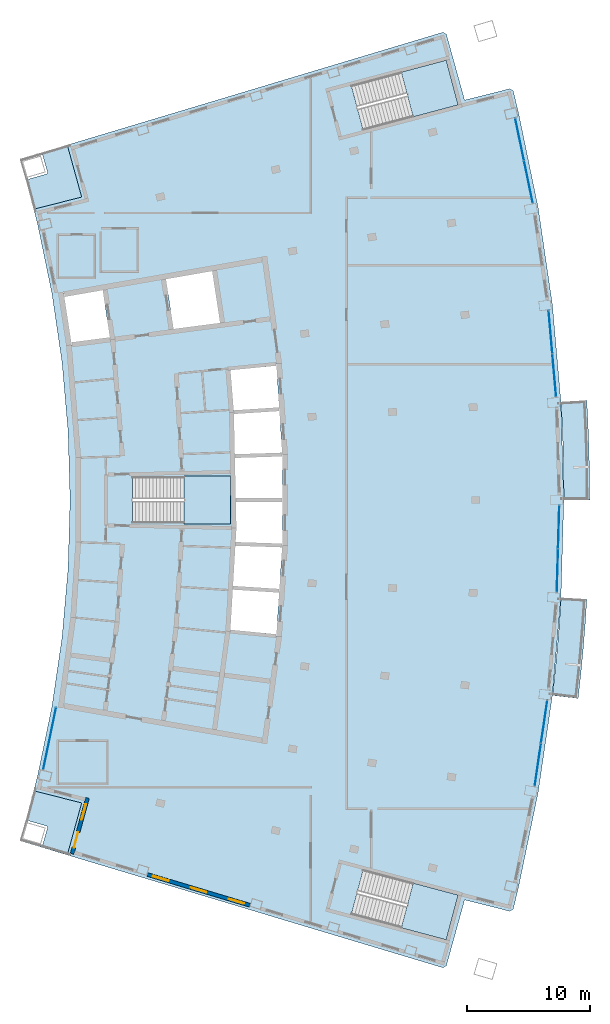
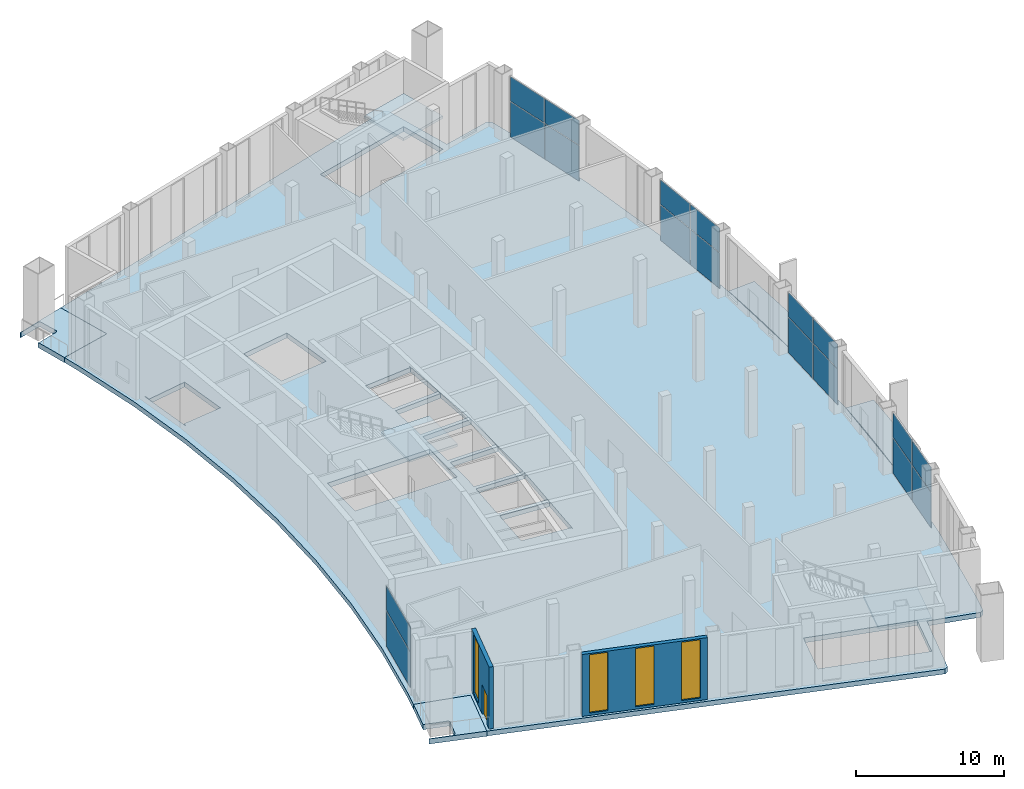
# One storey, part 5 of 13: 18 plates, 8 slabs, 4 windows, 2 walls, 1 door, 5 openings, 8 elements without a shape of their own.
"""IFC4 building model written with IfcOpenShell, lengths in metres."""

from ifc_helpers import new_model, si_unit, direction, frame, frame_2d, origin, origin_2d, place, context, subcontext, project, spatial, polyline, rectangle, outline, extrude, material, layer, layer_set, type_object, element, fill, aggregate, save


model = new_model("IFC4")

# Units and contexts
model_context = context("Model", 3, precision=1e-05, world=origin(), true_north=direction((0.0, 1.0)))
body_context = subcontext(model_context, "Body", "Model", "MODEL_VIEW")
ifc_project = project(units=[si_unit("LENGTHUNIT", "METRE"), si_unit("AREAUNIT", "SQUARE_METRE"), si_unit("VOLUMEUNIT", "CUBIC_METRE"), si_unit("PLANEANGLEUNIT", "RADIAN"), si_unit("MASSUNIT", "GRAM", prefix="KILO")], contexts=[model_context])

# Site, building, storey
site_placement = place(None, origin())
site = spatial("IfcSite", under=ifc_project, at=site_placement, CompositionType="ELEMENT")
building_placement = place(site_placement, origin())
building = spatial("IfcBuilding", under=site, at=building_placement, Name="Alderwake Tower", CompositionType="ELEMENT")
storey_placement = place(building_placement, frame((0.0, 0.0, 304.5)))
storey = spatial("IfcBuildingStorey", under=building, at=storey_placement, Name="L74", CompositionType="ELEMENT", Elevation=304.5)

# Slabs
ifc_material_1 = material(Name="Concrete C50/60", Category="concrete")
ifc_layer_1 = layer(ifc_material_1, 0.39990234375)
ifc_layer_set_1 = layer_set([ifc_layer_1], Name="Balcony slab 400")
slab_type_1 = type_object("IfcSlabType", Name="Balcony slab 400", PredefinedType="FLOOR", material=ifc_layer_set_1)
slab_1_placement = place(storey_placement, frame((0.0, 0.0, -0.39990234375)))
element("IfcSlab", 1, at=slab_1_placement, inside=storey, type_object=slab_type_1, Name="Balcony BF05", PredefinedType="FLOOR", context=body_context, shape_type="SweptSolid", body=[
    extrude(outline(polyline([(55.075439453125, 45.169189453125), (57.1611328125, 44.9248046875), (57.381103515625, 46.9267578125), (57.57177734375, 48.931640625), (57.73291015625, 50.939208984375), (57.864990234375, 52.94873046875), (55.768798828125, 53.0712890625), (55.638671875, 51.092041015625), (55.479736328125, 49.115234375), (55.2919921875, 47.140869140625), (55.075439453125, 45.169189453125)])), origin(), (0.0, 0.0, 1.0), 0.39990234375),
])
slab_2_placement = place(storey_placement, frame((0.0, 0.0, -0.39990234375)))
element("IfcSlab", 2, at=slab_2_placement, inside=storey, type_object=slab_type_1, Name="Balcony BF07", PredefinedType="FLOOR", context=body_context, shape_type="SweptSolid", body=[
    extrude(outline(polyline([(56.0, 61.0), (58.10009765625, 61.0), (58.085205078125, 63.013916015625), (58.041259765625, 65.02734375), (57.968017578125, 67.039794921875), (57.864990234375, 69.05126953125), (55.768798828125, 68.9287109375), (55.869873046875, 66.947998046875), (55.942138671875, 64.966064453125), (55.985595703125, 62.9833984375), (56.0, 61.0)])), origin(), (0.0, 0.0, 1.0), 0.39990234375),
])
ifc_material_2 = material(Name="Concrete C50/60", Category="concrete")
ifc_layer_2 = layer(ifc_material_2, 0.39990234375)
ifc_layer_set_2 = layer_set([ifc_layer_2], Name="Concrete C50/60 post-tensioned flat plate 400")
slab_type_2 = type_object("IfcSlabType", Name="Concrete C50/60 post-tensioned flat plate 400", PredefinedType="FLOOR", material=ifc_layer_set_2)
slab_3_placement = place(storey_placement, frame((0.0, 0.0, -0.39990234375)))
element("IfcSlab", 3, at=slab_3_placement, inside=storey, type_object=slab_type_2, Name="Floor slab L74", PredefinedType="FLOOR", context=body_context, shape_type="SweptSolid", body=[
    extrude(outline(polyline([(16.942626953125, 36.46142578125), (13.06494140625, 37.443115234375), (13.3984375, 38.802734375), (14.53369140625, 44.28564453125), (15.347412109375, 49.825439453125), (15.836669921875, 55.4033203125), (16.0, 61.0), (15.836669921875, 66.5966796875), (15.347412109375, 72.174560546875), (14.53369140625, 77.71435546875), (13.3984375, 83.197265625), (13.06494140625, 84.556884765625), (16.942626953125, 85.53857421875), (15.776611328125, 89.7548828125), (46.204833984375, 98.890380859375), (46.486328125, 98.73486328125), (47.964111328125, 93.390869140625), (51.618896484375, 94.31591796875), (51.896728515625, 94.14892578125), (52.314453125, 92.4462890625), (53.9228515625, 84.6787109375), (55.075439453125, 76.830810546875), (55.768798828125, 68.9287109375), (56.0, 61.0), (55.768798828125, 53.0712890625), (55.075439453125, 45.169189453125), (53.9228515625, 37.3212890625), (52.314453125, 29.5537109375), (51.896728515625, 27.85107421875), (51.618896484375, 27.68408203125), (47.964111328125, 28.609130859375), (46.486328125, 23.26513671875), (46.204833984375, 23.109619140625), (15.776611328125, 32.2451171875), (16.942626953125, 36.46142578125)]), holes=[polyline([(29.181396484375, 53.739990234375), (28.985107421875, 50.4306640625), (28.989013671875, 50.430419921875), (28.994140625, 50.485595703125), (32.6962890625, 50.123291015625), (32.681640625, 49.973876953125), (32.711669921875, 49.970947265625), (32.95068359375, 53.644775390625), (33.18994140625, 57.318603515625), (33.18994140625, 61.0), (33.18994140625, 64.681396484375), (32.95068359375, 68.355224609375), (32.711669921875, 72.029052734375), (32.681640625, 72.026123046875), (32.6962890625, 71.876708984375), (28.993896484375, 71.514404296875), (29.256591796875, 68.264892578125), (32.9111328125, 68.5029296875), (32.9208984375, 68.353271484375), (32.9306640625, 68.20361328125), (29.278564453125, 67.9658203125), (29.274169921875, 68.032470703125), (29.2705078125, 68.0322265625), (29.34423828125, 64.70654296875), (33.1552734375, 64.83056640625), (33.159912109375, 64.680419921875), (33.164794921875, 64.530517578125), (29.350830078125, 64.406494140625), (29.4228515625, 61.14990234375), (33.159912109375, 61.14990234375), (33.159912109375, 61.0), (33.159912109375, 60.85009765625), (29.429443359375, 60.85009765625), (29.4765625, 58.72314453125), (29.409423828125, 57.591552734375), (33.164794921875, 57.469482421875), (33.159912109375, 57.319580078125), (33.1552734375, 57.16943359375), (29.395751953125, 57.291748046875), (29.39599609375, 57.3017578125), (29.392333984375, 57.302001953125), (29.198974609375, 54.039306640625), (32.9306640625, 53.79638671875), (32.9208984375, 53.646728515625), (32.9111328125, 53.4970703125), (29.181396484375, 53.739990234375)]), polyline([(29.0, 62.875), (21.050048828125, 62.875), (21.050048828125, 59.125), (29.0, 59.125), (29.0, 62.875)]), polyline([(15.569091796875, 77.45703125), (15.49462890625, 77.88427734375), (15.4130859375, 77.869873046875), (15.413818359375, 77.8662109375), (15.47021484375, 77.874755859375), (16.13134765625, 73.5732421875), (16.1611328125, 73.5771484375), (16.13525390625, 73.775390625), (19.224609375, 74.1796875), (18.647705078125, 77.98974609375), (18.843994140625, 78.01953125), (18.84228515625, 78.028564453125), (15.569091796875, 77.45703125)]), polyline([(28.152587890625, 75.347412109375), (27.512451171875, 79.542236328125), (23.769287109375, 78.888916015625), (24.384033203125, 74.858642578125), (24.3623046875, 74.85546875), (24.36279296875, 74.8515625), (28.152587890625, 75.347412109375)]), polyline([(46.47119140625, 25.373291015625), (47.436279296875, 28.996826171875), (39.754150390625, 31.043212890625), (38.7890625, 27.41943359375), (46.47119140625, 25.373291015625)]), polyline([(47.436279296875, 93.003173828125), (46.47119140625, 96.626708984375), (38.7890625, 94.58056640625), (39.754150390625, 90.956787109375), (47.436279296875, 93.003173828125)])]), origin(), (0.0, 0.0, 1.0), 0.39990234375),
])

# Stair, slab
ifc_material_3 = material(Name="Concrete C40/50", Category="concrete")
stair_type = type_object("IfcStairType", Name="Core exit stair", PredefinedType="HALF_TURN_STAIR", material=ifc_material_3)
stair_1_placement = place(storey_placement, origin())
stair_1 = element("IfcStair", 4, at=stair_1_placement, inside=storey, type_object=stair_type, Name="L74 Exit Stair B", PredefinedType="HALF_TURN_STAIR")
ifc_material_4 = material(Name="Concrete C40/50", Category="concrete")
ifc_layer_3 = layer(ifc_material_4, 0.199951171875)
ifc_layer_set_3 = layer_set([ifc_layer_3], Name="Core stair landing 200")
slab_type_3 = type_object("IfcSlabType", Name="Core stair landing 200", PredefinedType="LANDING", material=ifc_layer_set_3)
slab_4_placement = place(storey_placement, frame((0.0, 0.0, 2.550048828125)))
slab_4 = element("IfcSlab", 5, at=slab_4_placement, type_object=slab_type_3, Name="ST-B landing 1", PredefinedType="LANDING", context=body_context, shape_type="SweptSolid", body=[
    extrude(outline(polyline([(25.22998046875, 59.074951171875), (29.0, 59.074951171875), (29.0, 62.925048828125), (25.22998046875, 62.925048828125), (25.22998046875, 59.074951171875)])), origin(), (0.0, 0.0, 1.0), 0.199951171875),
])
aggregate(stair_1, [slab_4])

stair_2_placement = place(storey_placement, origin())
stair_2 = element("IfcStair", 6, at=stair_2_placement, inside=storey, type_object=stair_type, Name="L74 Exit Stair A", PredefinedType="HALF_TURN_STAIR")
slab_5_placement = place(storey_placement, frame((0.0, 0.0, 2.550048828125)))
slab_5 = element("IfcSlab", 7, at=slab_5_placement, type_object=slab_type_3, Name="ST-A landing 1", PredefinedType="LANDING", context=body_context, shape_type="SweptSolid", body=[
    extrude(outline(polyline([(43.79345703125, 92.03271484375), (47.436279296875, 93.003173828125), (46.47119140625, 96.626708984375), (42.828125, 95.656494140625), (43.79345703125, 92.03271484375)])), origin(), (0.0, 0.0, 1.0), 0.199951171875),
])
aggregate(stair_2, [slab_5])

stair_3_placement = place(storey_placement, origin())
stair_3 = element("IfcStair", 8, at=stair_3_placement, inside=storey, type_object=stair_type, Name="L74 Exit Stair C", PredefinedType="HALF_TURN_STAIR")
slab_6_placement = place(storey_placement, frame((0.0, 0.0, 2.550048828125)))
slab_6 = element("IfcSlab", 9, at=slab_6_placement, type_object=slab_type_3, Name="ST-C landing 1", PredefinedType="LANDING", context=body_context, shape_type="SweptSolid", body=[
    extrude(outline(polyline([(42.828125, 26.343505859375), (46.47119140625, 25.373291015625), (47.436279296875, 28.996826171875), (43.79345703125, 29.96728515625), (42.828125, 26.343505859375)])), origin(), (0.0, 0.0, 1.0), 0.199951171875),
])
aggregate(stair_3, [slab_6])

# Curtain wall, plates
ifc_material_5 = material(Name="Bronze tinted glass in aluminium frame", Category="aluminium")
ifc_layer_4 = layer(ifc_material_5, 0.199951171875)
ifc_layer_set_4 = layer_set([ifc_layer_4], Name="Curtain wall CW5 sky amenity glazing")
curtain_wall_type = type_object("IfcCurtainWallType", Name="Curtain wall CW5 sky amenity glazing", PredefinedType="NOTDEFINED", material=ifc_layer_set_4)
curtain_wall_1_placement = place(storey_placement, origin())
curtain_wall_1 = element("IfcCurtainWall", 10, at=curtain_wall_1_placement, inside=storey, type_object=curtain_wall_type, Name="Curtain wall 1", PredefinedType="NOTDEFINED")
ifc_material_6 = material(Name="Bronze tinted glass in aluminium frame", Category="aluminium")
ifc_layer_5 = layer(ifc_material_6, 0.028076171875)
ifc_layer_set_5 = layer_set([ifc_layer_5], Name="Glass panel GPE 28")
plate_type = type_object("IfcPlateType", Name="Glass panel GPE 28", PredefinedType="CURTAIN_PANEL", material=ifc_layer_set_5)
plate_1_placement = place(storey_placement, frame((53.8984375, 39.562744140625, 0.06005859375), z_axis=(0.0, 0.0, 1.0), x_axis=(0.145310296412, 0.989386131779, 0.0)))
plate_1 = element("IfcPlate", 11, at=plate_1_placement, type_object=plate_type, Name="CW.01 panel 1.1", PredefinedType="CURTAIN_PANEL", context=body_context, shape_type="SweptSolid", body=[
    extrude(rectangle(XDim=3.444091796875, YDim=0.028076171875, at=origin_2d()), origin(), (0.0, 0.0, 1.0), 2.909912109375),
])
plate_2_placement = place(storey_placement, frame((53.8984375, 39.562744140625, 3.02978515625), z_axis=(0.0, 0.0, 1.0), x_axis=(0.145310296412, 0.989386131779, 0.0)))
plate_2 = element("IfcPlate", 12, at=plate_2_placement, type_object=plate_type, Name="CW.01 panel 1.2", PredefinedType="CURTAIN_PANEL", context=body_context, shape_type="SweptSolid", body=[
    extrude(rectangle(XDim=3.444091796875, YDim=0.028076171875, at=origin_2d()), origin(), (0.0, 0.0, 1.0), 2.010009765625),
])
plate_3_placement = place(storey_placement, frame((54.407470703125, 43.029541015625, 0.06005859375), z_axis=(0.0, 0.0, 1.0), x_axis=(0.145310296412, 0.989386131779, 0.0)))
plate_3 = element("IfcPlate", 13, at=plate_3_placement, type_object=plate_type, Name="CW.01 panel 2.1", PredefinedType="CURTAIN_PANEL", context=body_context, shape_type="SweptSolid", body=[
    extrude(rectangle(XDim=3.444091796875, YDim=0.028076171875, at=origin_2d()), origin(), (0.0, 0.0, 1.0), 2.909912109375),
])
plate_4_placement = place(storey_placement, frame((54.407470703125, 43.029541015625, 3.02978515625), z_axis=(0.0, 0.0, 1.0), x_axis=(0.145310296412, 0.989386131779, 0.0)))
plate_4 = element("IfcPlate", 14, at=plate_4_placement, type_object=plate_type, Name="CW.01 panel 2.2", PredefinedType="CURTAIN_PANEL", context=body_context, shape_type="SweptSolid", body=[
    extrude(rectangle(XDim=3.444091796875, YDim=0.028076171875, at=origin_2d()), origin(), (0.0, 0.0, 1.0), 2.010009765625),
])
aggregate(curtain_wall_1, [plate_1, plate_2, plate_3, plate_4])

curtain_wall_2_placement = place(storey_placement, origin())
curtain_wall_2 = element("IfcCurtainWall", 15, at=curtain_wall_2_placement, inside=storey, type_object=curtain_wall_type, Name="Curtain wall 2", PredefinedType="NOTDEFINED")
plate_5_placement = place(storey_placement, frame((55.483642578125, 55.29443359375, 0.06005859375), z_axis=(0.0, 0.0, 1.0), x_axis=(0.029157507941, 0.99957482948, 0.0)))
plate_5 = element("IfcPlate", 16, at=plate_5_placement, type_object=plate_type, Name="CW.02 panel 1.1", PredefinedType="CURTAIN_PANEL", context=body_context, shape_type="SweptSolid", body=[
    extrude(rectangle(XDim=3.4443359375, YDim=0.028076171875, at=origin_2d()), origin(), (0.0, 0.0, 1.0), 2.909912109375),
])
plate_6_placement = place(storey_placement, frame((55.483642578125, 55.29443359375, 3.02978515625), z_axis=(0.0, 0.0, 1.0), x_axis=(0.029157507941, 0.99957482948, 0.0)))
plate_6 = element("IfcPlate", 17, at=plate_6_placement, type_object=plate_type, Name="CW.02 panel 1.2", PredefinedType="CURTAIN_PANEL", context=body_context, shape_type="SweptSolid", body=[
    extrude(rectangle(XDim=3.4443359375, YDim=0.028076171875, at=origin_2d()), origin(), (0.0, 0.0, 1.0), 2.010009765625),
])
plate_7_placement = place(storey_placement, frame((55.585693359375, 58.797119140625, 0.06005859375), z_axis=(0.0, 0.0, 1.0), x_axis=(0.029157507941, 0.99957482948, 0.0)))
plate_7 = element("IfcPlate", 18, at=plate_7_placement, type_object=plate_type, Name="CW.02 panel 2.1", PredefinedType="CURTAIN_PANEL", context=body_context, shape_type="SweptSolid", body=[
    extrude(rectangle(XDim=3.4443359375, YDim=0.028076171875, at=origin_2d()), origin(), (0.0, 0.0, 1.0), 2.909912109375),
])
plate_8_placement = place(storey_placement, frame((55.585693359375, 58.797119140625, 3.02978515625), z_axis=(0.0, 0.0, 1.0), x_axis=(0.029157507941, 0.99957482948, 0.0)))
plate_8 = element("IfcPlate", 19, at=plate_8_placement, type_object=plate_type, Name="CW.02 panel 2.2", PredefinedType="CURTAIN_PANEL", context=body_context, shape_type="SweptSolid", body=[
    extrude(rectangle(XDim=3.4443359375, YDim=0.028076171875, at=origin_2d()), origin(), (0.0, 0.0, 1.0), 2.010009765625),
])
aggregate(curtain_wall_2, [plate_5, plate_6, plate_7, plate_8])

curtain_wall_3_placement = place(storey_placement, origin())
curtain_wall_3 = element("IfcCurtainWall", 20, at=curtain_wall_3_placement, inside=storey, type_object=curtain_wall_type, Name="Curtain wall 3", PredefinedType="NOTDEFINED")
plate_9_placement = place(storey_placement, frame((55.2265625, 71.103759765625, 0.06005859375), z_axis=(0.0, 0.0, 1.0), x_axis=(-0.087389659115, 0.996174205388, 0.0)))
plate_9 = element("IfcPlate", 21, at=plate_9_placement, type_object=plate_type, Name="CW.03 panel 1.1", PredefinedType="CURTAIN_PANEL", context=body_context, shape_type="SweptSolid", body=[
    extrude(rectangle(XDim=3.444091796875, YDim=0.028076171875, at=origin_2d()), origin(), (0.0, 0.0, 1.0), 2.909912109375),
])
plate_10_placement = place(storey_placement, frame((55.2265625, 71.103759765625, 3.02978515625), z_axis=(0.0, 0.0, 1.0), x_axis=(-0.087389659115, 0.996174205388, 0.0)))
plate_10 = element("IfcPlate", 22, at=plate_10_placement, type_object=plate_type, Name="CW.03 panel 1.2", PredefinedType="CURTAIN_PANEL", context=body_context, shape_type="SweptSolid", body=[
    extrude(rectangle(XDim=3.444091796875, YDim=0.028076171875, at=origin_2d()), origin(), (0.0, 0.0, 1.0), 2.010009765625),
])
plate_11_placement = place(storey_placement, frame((54.92041015625, 74.5947265625, 0.06005859375), z_axis=(0.0, 0.0, 1.0), x_axis=(-0.087389659115, 0.996174205388, 0.0)))
plate_11 = element("IfcPlate", 23, at=plate_11_placement, type_object=plate_type, Name="CW.03 panel 2.1", PredefinedType="CURTAIN_PANEL", context=body_context, shape_type="SweptSolid", body=[
    extrude(rectangle(XDim=3.444091796875, YDim=0.028076171875, at=origin_2d()), origin(), (0.0, 0.0, 1.0), 2.909912109375),
])
plate_12_placement = place(storey_placement, frame((54.92041015625, 74.5947265625, 3.02978515625), z_axis=(0.0, 0.0, 1.0), x_axis=(-0.087389659115, 0.996174205388, 0.0)))
plate_12 = element("IfcPlate", 24, at=plate_12_placement, type_object=plate_type, Name="CW.03 panel 2.2", PredefinedType="CURTAIN_PANEL", context=body_context, shape_type="SweptSolid", body=[
    extrude(rectangle(XDim=3.444091796875, YDim=0.028076171875, at=origin_2d()), origin(), (0.0, 0.0, 1.0), 2.010009765625),
])
aggregate(curtain_wall_3, [plate_9, plate_10, plate_11, plate_12])

curtain_wall_4_placement = place(storey_placement, origin())
curtain_wall_4 = element("IfcCurtainWall", 25, at=curtain_wall_4_placement, inside=storey, type_object=curtain_wall_type, Name="Curtain wall 4", PredefinedType="NOTDEFINED")
plate_13_placement = place(storey_placement, frame((53.13134765625, 86.77587890625, 0.06005859375), z_axis=(0.0, 0.0, 1.0), x_axis=(-0.202760916683, 0.979228273012, 0.0)))
plate_13 = element("IfcPlate", 26, at=plate_13_placement, type_object=plate_type, Name="CW.04 panel 1.1", PredefinedType="CURTAIN_PANEL", context=body_context, shape_type="SweptSolid", body=[
    extrude(rectangle(XDim=3.444091796875, YDim=0.028076171875, at=origin_2d()), origin(), (0.0, 0.0, 1.0), 2.909912109375),
])
plate_14_placement = place(storey_placement, frame((53.13134765625, 86.77587890625, 3.02978515625), z_axis=(0.0, 0.0, 1.0), x_axis=(-0.202760916683, 0.979228273012, 0.0)))
plate_14 = element("IfcPlate", 27, at=plate_14_placement, type_object=plate_type, Name="CW.04 panel 1.2", PredefinedType="CURTAIN_PANEL", context=body_context, shape_type="SweptSolid", body=[
    extrude(rectangle(XDim=3.444091796875, YDim=0.028076171875, at=origin_2d()), origin(), (0.0, 0.0, 1.0), 2.010009765625),
])
plate_15_placement = place(storey_placement, frame((52.4208984375, 90.207275390625, 0.06005859375), z_axis=(0.0, 0.0, 1.0), x_axis=(-0.202760916683, 0.979228273012, 0.0)))
plate_15 = element("IfcPlate", 28, at=plate_15_placement, type_object=plate_type, Name="CW.04 panel 2.1", PredefinedType="CURTAIN_PANEL", context=body_context, shape_type="SweptSolid", body=[
    extrude(rectangle(XDim=3.444091796875, YDim=0.028076171875, at=origin_2d()), origin(), (0.0, 0.0, 1.0), 2.909912109375),
])
plate_16_placement = place(storey_placement, frame((52.4208984375, 90.207275390625, 3.02978515625), z_axis=(0.0, 0.0, 1.0), x_axis=(-0.202760916683, 0.979228273012, 0.0)))
plate_16 = element("IfcPlate", 29, at=plate_16_placement, type_object=plate_type, Name="CW.04 panel 2.2", PredefinedType="CURTAIN_PANEL", context=body_context, shape_type="SweptSolid", body=[
    extrude(rectangle(XDim=3.444091796875, YDim=0.028076171875, at=origin_2d()), origin(), (0.0, 0.0, 1.0), 2.010009765625),
])
aggregate(curtain_wall_4, [plate_13, plate_14, plate_15, plate_16])

curtain_wall_5_placement = place(storey_placement, origin())
curtain_wall_5 = element("IfcCurtainWall", 30, at=curtain_wall_5_placement, inside=storey, type_object=curtain_wall_type, Name="Curtain wall 5", PredefinedType="NOTDEFINED")
plate_17_placement = place(storey_placement, frame((14.349853515625, 41.671875, 0.06005859375), z_axis=(0.0, 0.0, 1.0), x_axis=(-0.202757893481, -0.979228898997, 0.0)))
plate_17 = element("IfcPlate", 31, at=plate_17_placement, type_object=plate_type, Name="CW.05 panel 1.1", PredefinedType="CURTAIN_PANEL", context=body_context, shape_type="SweptSolid", body=[
    extrude(rectangle(XDim=5.091064453125, YDim=0.028076171875, at=origin_2d()), origin(), (0.0, 0.0, 1.0), 2.909912109375),
])
plate_18_placement = place(storey_placement, frame((14.349853515625, 41.671875, 3.02978515625), z_axis=(0.0, 0.0, 1.0), x_axis=(-0.202757893481, -0.979228898997, 0.0)))
plate_18 = element("IfcPlate", 32, at=plate_18_placement, type_object=plate_type, Name="CW.05 panel 1.2", PredefinedType="CURTAIN_PANEL", context=body_context, shape_type="SweptSolid", body=[
    extrude(rectangle(XDim=5.091064453125, YDim=0.028076171875, at=origin_2d()), origin(), (0.0, 0.0, 1.0), 2.010009765625),
])
aggregate(curtain_wall_5, [plate_17, plate_18])

# Slabs
ifc_material_7 = material(Name="Concrete C50/60", Category="concrete")
ifc_layer_6 = layer(ifc_material_7, 0.419921875)
ifc_layer_set_6 = layer_set([ifc_layer_6], Name="Terrace slab 420")
slab_type_4 = type_object("IfcSlabType", Name="Terrace slab 420", PredefinedType="FLOOR", material=ifc_layer_set_6)
slab_7_placement = place(storey_placement, frame((0.0, 0.0, -0.419921875)))
element("IfcSlab", 33, at=slab_7_placement, inside=storey, type_object=slab_type_4, Name="Corner terrace RS", PredefinedType="FLOOR", context=body_context, shape_type="SweptSolid", body=[
    extrude(outline(polyline([(15.776611328125, 32.2451171875), (11.945556640625, 33.395263671875), (11.9697265625, 33.478271484375), (11.97607421875, 33.46826171875), (11.985107421875, 33.456298828125), (11.9951171875, 33.44580078125), (12.006103515625, 33.435791015625), (12.017822265625, 33.42724609375), (12.03076171875, 33.419921875), (12.0439453125, 33.413818359375), (12.05810546875, 33.408935546875), (13.594482421875, 32.963134765625), (13.60888671875, 32.959716796875), (13.62353515625, 32.957763671875), (13.63818359375, 32.957275390625), (13.65283203125, 32.9580078125), (13.66748046875, 32.96044921875), (13.681640625, 32.964111328125), (13.695556640625, 32.969482421875), (13.708740234375, 32.975830078125), (13.72119140625, 32.9833984375), (13.73291015625, 32.992431640625), (13.74365234375, 33.00244140625), (13.75341796875, 33.013427734375), (13.76220703125, 33.025390625), (13.76953125, 33.0380859375), (13.775634765625, 33.051513671875), (13.780517578125, 33.0654296875), (14.17041015625, 34.409912109375), (14.173828125, 34.42431640625), (14.17578125, 34.43896484375), (14.176513671875, 34.45361328125), (14.175537109375, 34.46826171875), (14.173095703125, 34.48291015625), (14.16943359375, 34.4970703125), (14.164306640625, 34.510986328125), (14.157958984375, 34.524169921875), (14.150146484375, 34.53662109375), (14.14111328125, 34.54833984375), (14.131103515625, 34.55908203125), (14.1201171875, 34.56884765625), (14.1083984375, 34.577392578125), (14.095458984375, 34.5849609375), (14.082275390625, 34.591064453125), (14.068115234375, 34.595947265625), (12.531494140625, 35.04150390625), (12.517333984375, 35.044921875), (12.502685546875, 35.047119140625), (12.488037109375, 35.047607421875), (12.473388671875, 35.046630859375), (12.458740234375, 35.044189453125), (12.444580078125, 35.04052734375), (12.4306640625, 35.035400390625), (12.418701171875, 35.029541015625), (12.71142578125, 36.08837890625), (13.06494140625, 37.443115234375), (16.942626953125, 36.46142578125), (15.776611328125, 32.2451171875)])), origin(), (0.0, 0.0, 1.0), 0.419921875),
])
slab_8_placement = place(storey_placement, frame((0.0, 0.0, -0.419921875)))
element("IfcSlab", 34, at=slab_8_placement, inside=storey, type_object=slab_type_4, Name="Corner terrace RN", PredefinedType="FLOOR", context=body_context, shape_type="SweptSolid", body=[
    extrude(outline(polyline([(12.418701171875, 86.970458984375), (12.4306640625, 86.964599609375), (12.444580078125, 86.95947265625), (12.458740234375, 86.955810546875), (12.473388671875, 86.953369140625), (12.488037109375, 86.952392578125), (12.502685546875, 86.952880859375), (12.517333984375, 86.955078125), (12.531494140625, 86.95849609375), (14.068115234375, 87.404052734375), (14.082275390625, 87.408935546875), (14.095458984375, 87.4150390625), (14.1083984375, 87.422607421875), (14.1201171875, 87.43115234375), (14.131103515625, 87.44091796875), (14.14111328125, 87.45166015625), (14.150146484375, 87.46337890625), (14.157958984375, 87.475830078125), (14.164306640625, 87.489013671875), (14.16943359375, 87.5029296875), (14.173095703125, 87.51708984375), (14.175537109375, 87.53173828125), (14.176513671875, 87.54638671875), (14.17578125, 87.56103515625), (14.173828125, 87.57568359375), (14.17041015625, 87.590087890625), (13.780517578125, 88.9345703125), (13.775634765625, 88.948486328125), (13.76953125, 88.9619140625), (13.76220703125, 88.974609375), (13.75341796875, 88.986572265625), (13.74365234375, 88.99755859375), (13.73291015625, 89.007568359375), (13.72119140625, 89.0166015625), (13.708740234375, 89.024169921875), (13.695556640625, 89.030517578125), (13.681640625, 89.035888671875), (13.66748046875, 89.03955078125), (13.65283203125, 89.0419921875), (13.63818359375, 89.042724609375), (13.62353515625, 89.042236328125), (13.60888671875, 89.040283203125), (13.594482421875, 89.036865234375), (12.05810546875, 88.591064453125), (12.0439453125, 88.586181640625), (12.03076171875, 88.580078125), (12.017822265625, 88.57275390625), (12.006103515625, 88.564208984375), (11.9951171875, 88.55419921875), (11.985107421875, 88.543701171875), (11.97607421875, 88.53173828125), (11.9697265625, 88.521728515625), (11.945556640625, 88.604736328125), (15.776611328125, 89.7548828125), (16.942626953125, 85.53857421875), (13.06494140625, 84.556884765625), (12.71142578125, 85.91162109375), (12.418701171875, 86.970458984375)])), origin(), (0.0, 0.0, 1.0), 0.419921875),
])

# Wall, openings, door, window
ifc_material_8 = material(Name="Bronze metal cladding on lightweight framing")
ifc_layer_7 = layer(ifc_material_8, 0.300048828125)
ifc_layer_set_7 = layer_set([ifc_layer_7], Name="External wall EW2 bronze metal cladding")
wall_type = type_object("IfcWallType", Name="External wall EW2 bronze metal cladding", PredefinedType="SOLIDWALL", material=ifc_layer_set_7)
wall_1_placement = place(storey_placement, frame((17.410400390625, 36.85888671875, 0.0), z_axis=(0.0, 0.0, 1.0), x_axis=(-0.264592640785, -0.96436027212, 0.0)))
wall_1 = element("IfcWall", 35, at=wall_1_placement, inside=storey, type_object=wall_type, Name="External wall 3", PredefinedType="SOLIDWALL", context=body_context, shape_type="SweptSolid", body=[
    extrude(rectangle(XDim=4.690185546875, YDim=0.300048828125, at=frame_2d((2.34521484375, 0.0))), origin(), (0.0, 0.0, 1.0), 5.10009765625),
])
opening_1_placement = place(wall_1_placement, frame((0.5224609375, 0.0, 0.199951171875)))
opening_1 = element("IfcOpeningElement", 36, at=opening_1_placement, cuts=wall_1, Name="Opening W3", PredefinedType="OPENING", context=body_context, shape_type="SweptSolid", body=[
    extrude(rectangle(XDim=1.300048828125, YDim=4.800048828125, at=frame_2d((0.64990234375, 2.39990234375))), frame((0.0, 0.159912109375, 0.0), z_axis=(0.0, -1.0, 0.0), x_axis=(1.0, 0.0, 0.0)), (0.0, 0.0, 1.0), 0.320068359375),
])
opening_2_placement = place(wall_1_placement, frame((2.867431640625, 0.0, 0.0)))
opening_2 = element("IfcOpeningElement", 37, at=opening_2_placement, cuts=wall_1, Name="Opening D01", PredefinedType="OPENING", context=body_context, shape_type="SweptSolid", body=[
    extrude(rectangle(XDim=1.300048828125, YDim=2.39990234375, at=frame_2d((0.64990234375, 1.199951171875))), frame((0.0, 0.159912109375, 0.0), z_axis=(0.0, -1.0, 0.0), x_axis=(1.0, 0.0, 0.0)), (0.0, 0.0, 1.0), 0.320068359375),
])
ifc_material_9 = material(Name="Bronze tinted glass in aluminium frame", Category="aluminium")
door_type = type_object("IfcDoorType", Name="Balcony door BD sliding", OperationType="SLIDING_TO_LEFT", PredefinedType="DOOR", material=ifc_material_9)
door_placement = place(opening_2_placement, origin())
door = element("IfcDoor", 38, at=door_placement, inside=storey, type_object=door_type, Name="Door D01", OperationType="SLIDING_TO_LEFT", OverallHeight=2.39990234375, OverallWidth=1.300048828125, PredefinedType="DOOR", context=body_context, shape_type="SweptSolid", body=[
    extrude(rectangle(XDim=1.300048828125, YDim=2.39990234375, at=frame_2d((0.64990234375, 1.199951171875))), frame((0.0, 0.02490234375, 0.0), z_axis=(0.0, -1.0, 0.0), x_axis=(1.0, 0.0, 0.0)), (0.0, 0.0, 1.0), 0.050048828125),
])
fill(opening_2, door)
ifc_material_10 = material(Name="Bronze tinted glass in aluminium frame", Category="aluminium")
window_type = type_object("IfcWindowType", Name="Window W3 amenity floor tall", PartitioningType="DOUBLE_PANEL_VERTICAL", PredefinedType="WINDOW", material=ifc_material_10)
window_1_placement = place(opening_1_placement, origin())
window_1 = element("IfcWindow", 39, at=window_1_placement, inside=storey, type_object=window_type, Name="Window W3 amenity floor tall", OverallHeight=4.800048828125, OverallWidth=1.300048828125, PartitioningType="DOUBLE_PANEL_VERTICAL", PredefinedType="WINDOW", context=body_context, shape_type="SweptSolid", body=[
    extrude(rectangle(XDim=1.300048828125, YDim=4.800048828125, at=frame_2d((0.64990234375, 2.39990234375))), frame((0.0, 0.030029296875, 0.0), z_axis=(0.0, -1.0, 0.0), x_axis=(1.0, 0.0, 0.0)), (0.0, 0.0, 1.0), 0.06005859375),
])
fill(opening_1, window_1)

# Wall, openings, windows
wall_2_placement = place(storey_placement, frame((22.24658203125, 30.668212890625, 0.0), z_axis=(0.0, 0.0, 1.0), x_axis=(0.957762902908, -0.287559075345, 0.0)))
wall_2 = element("IfcWall", 40, at=wall_2_placement, inside=storey, type_object=wall_type, Name="External wall 5", PredefinedType="SOLIDWALL", context=body_context, shape_type="SweptSolid", body=[
    extrude(rectangle(XDim=8.696533203125, YDim=0.300048828125, at=frame_2d((4.34814453125, 0.0))), origin(), (0.0, 0.0, 1.0), 5.10009765625),
])
opening_3_placement = place(wall_2_placement, frame((0.498046875, 0.0, 0.199951171875)))
opening_3 = element("IfcOpeningElement", 41, at=opening_3_placement, cuts=wall_2, Name="Opening W3", PredefinedType="OPENING", context=body_context, shape_type="SweptSolid", body=[
    extrude(rectangle(XDim=1.300048828125, YDim=4.800048828125, at=frame_2d((0.64990234375, 2.39990234375))), frame((0.0, 0.159912109375, 0.0), z_axis=(0.0, -1.0, 0.0), x_axis=(1.0, 0.0, 0.0)), (0.0, 0.0, 1.0), 0.320068359375),
])
opening_4_placement = place(wall_2_placement, frame((3.697998046875, 0.0, 0.199951171875)))
opening_4 = element("IfcOpeningElement", 42, at=opening_4_placement, cuts=wall_2, Name="Opening W3", PredefinedType="OPENING", context=body_context, shape_type="SweptSolid", body=[
    extrude(rectangle(XDim=1.300048828125, YDim=4.800048828125, at=frame_2d((0.64990234375, 2.39990234375))), frame((0.0, 0.159912109375, 0.0), z_axis=(0.0, -1.0, 0.0), x_axis=(1.0, 0.0, 0.0)), (0.0, 0.0, 1.0), 0.320068359375),
])
opening_5_placement = place(wall_2_placement, frame((6.898193359375, 0.0, 0.199951171875)))
opening_5 = element("IfcOpeningElement", 43, at=opening_5_placement, cuts=wall_2, Name="Opening W3", PredefinedType="OPENING", context=body_context, shape_type="SweptSolid", body=[
    extrude(rectangle(XDim=1.300048828125, YDim=4.800048828125, at=frame_2d((0.64990234375, 2.39990234375))), frame((0.0, 0.159912109375, 0.0), z_axis=(0.0, -1.0, 0.0), x_axis=(1.0, 0.0, 0.0)), (0.0, 0.0, 1.0), 0.320068359375),
])
window_2_placement = place(opening_3_placement, origin())
window_2 = element("IfcWindow", 44, at=window_2_placement, inside=storey, type_object=window_type, Name="Window W3 amenity floor tall", OverallHeight=4.800048828125, OverallWidth=1.300048828125, PartitioningType="DOUBLE_PANEL_VERTICAL", PredefinedType="WINDOW", context=body_context, shape_type="SweptSolid", body=[
    extrude(rectangle(XDim=1.300048828125, YDim=4.800048828125, at=frame_2d((0.64990234375, 2.39990234375))), frame((0.0, 0.030029296875, 0.0), z_axis=(0.0, -1.0, 0.0), x_axis=(1.0, 0.0, 0.0)), (0.0, 0.0, 1.0), 0.06005859375),
])
fill(opening_3, window_2)
window_3_placement = place(opening_4_placement, origin())
window_3 = element("IfcWindow", 45, at=window_3_placement, inside=storey, type_object=window_type, Name="Window W3 amenity floor tall", OverallHeight=4.800048828125, OverallWidth=1.300048828125, PartitioningType="DOUBLE_PANEL_VERTICAL", PredefinedType="WINDOW", context=body_context, shape_type="SweptSolid", body=[
    extrude(rectangle(XDim=1.300048828125, YDim=4.800048828125, at=frame_2d((0.64990234375, 2.39990234375))), frame((0.0, 0.030029296875, 0.0), z_axis=(0.0, -1.0, 0.0), x_axis=(1.0, 0.0, 0.0)), (0.0, 0.0, 1.0), 0.06005859375),
])
fill(opening_4, window_3)
window_4_placement = place(opening_5_placement, origin())
window_4 = element("IfcWindow", 46, at=window_4_placement, inside=storey, type_object=window_type, Name="Window W3 amenity floor tall", OverallHeight=4.800048828125, OverallWidth=1.300048828125, PartitioningType="DOUBLE_PANEL_VERTICAL", PredefinedType="WINDOW", context=body_context, shape_type="SweptSolid", body=[
    extrude(rectangle(XDim=1.300048828125, YDim=4.800048828125, at=frame_2d((0.64990234375, 2.39990234375))), frame((0.0, 0.030029296875, 0.0), z_axis=(0.0, -1.0, 0.0), x_axis=(1.0, 0.0, 0.0)), (0.0, 0.0, 1.0), 0.06005859375),
])
fill(opening_5, window_4)

save(model, "model.ifc")
